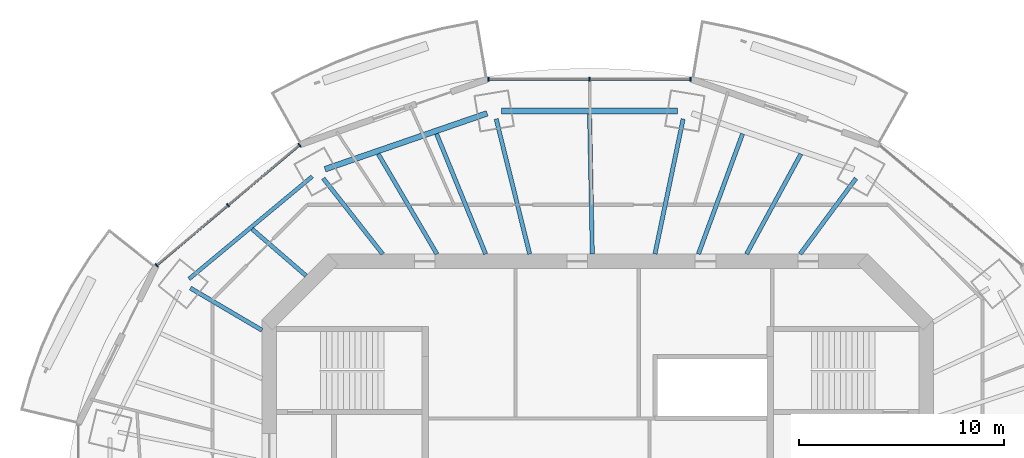
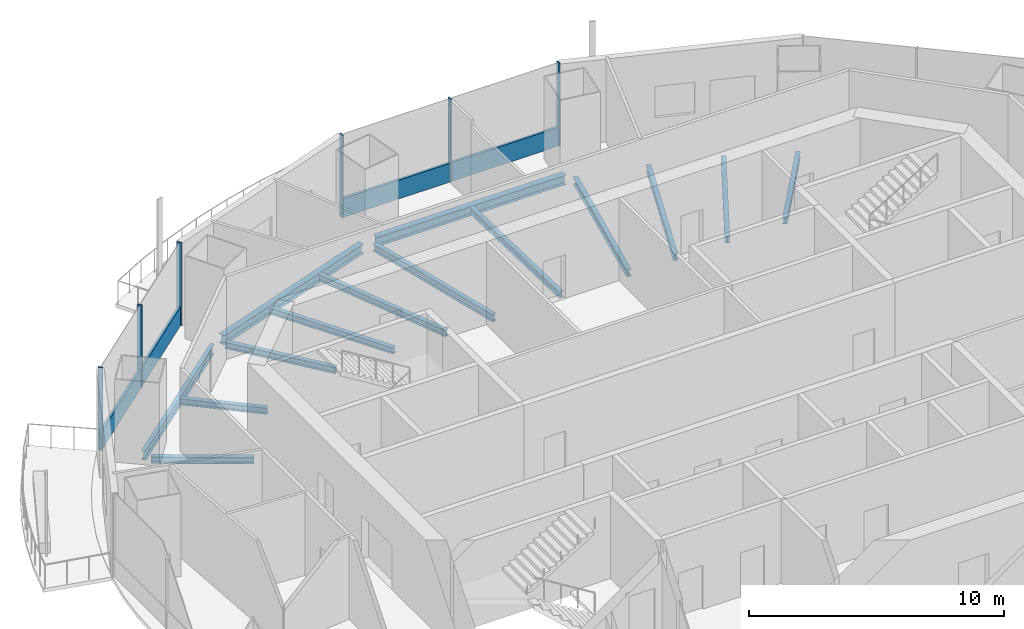
# One storey, part 5 of 15: 14 beams, 8 members, 2 elements without a shape of their own.
"""IFC4 building model written with IfcOpenShell, lengths in metres."""

from ifc_helpers import new_model, si_unit, direction, frame, origin, origin_2d, place, context, subcontext, project, spatial, rectangle, i_section, extrude, material, material_profile, profile_set, type_object, element, aggregate, save


model = new_model("IFC4")

# Units and contexts
model_context = context("Model", 3, precision=1e-05, world=origin(), true_north=direction((0.0, 1.0)))
body_context = subcontext(model_context, "Body", "Model", "MODEL_VIEW")
ifc_project = project(units=[si_unit("LENGTHUNIT", "METRE"), si_unit("AREAUNIT", "SQUARE_METRE"), si_unit("VOLUMEUNIT", "CUBIC_METRE"), si_unit("PLANEANGLEUNIT", "RADIAN"), si_unit("MASSUNIT", "GRAM", prefix="KILO")], contexts=[model_context])

# Site, building, storey
site_placement = place(None, origin())
site = spatial("IfcSite", under=ifc_project, at=site_placement, CompositionType="ELEMENT")
building_placement = place(site_placement, origin())
building = spatial("IfcBuilding", under=site, at=building_placement, Name="Marenthal Gate Tower", CompositionType="ELEMENT")
storey_placement = place(building_placement, frame((0.0, 0.0, 388.25)))
storey = spatial("IfcBuildingStorey", under=building, at=storey_placement, Name="L88", CompositionType="ELEMENT", Elevation=388.25)

# Curtain wall, members
ifc_material_1 = material(Name="Aluminium and glass", Category="aluminium")
curtain_wall_type = type_object("IfcCurtainWallType", Name="Curtain wall typical high", PredefinedType="NOTDEFINED", material=ifc_material_1)
curtain_wall_1_placement = place(storey_placement, origin())
curtain_wall_1 = element("IfcCurtainWall", 1, at=curtain_wall_1_placement, inside=storey, type_object=curtain_wall_type, Name="Curtain wall L88 bay 4", PredefinedType="NOTDEFINED")
ifc_material_2 = material(Name="Aluminium", Category="aluminium")
ifc_material_profile_1 = material_profile(ifc_material_2, rectangle(XDim=0.199951171875, YDim=0.06005859375, at=origin_2d()), Name="60x200 aluminium mullion")
ifc_profile_set_1 = profile_set([ifc_material_profile_1], Name="Aluminium")
member_type_1 = type_object("IfcMemberType", Name="Mullion 60x200 typical high", PredefinedType="MULLION", material=ifc_profile_set_1)
member_1_placement = place(storey_placement, frame((4.521484375, 21.869140625, 0.0), z_axis=(0.0, 0.0, 1.0), x_axis=(0.0, -1.0, 0.0)))
member_1 = element("IfcMember", 2, at=member_1_placement, type_object=member_type_1, Name="Mullion L88 bay 4.1", PredefinedType="MULLION", context=body_context, shape_type="SweptSolid", body=[
    extrude(rectangle(XDim=0.199951171875, YDim=0.06005859375, at=origin_2d()), origin(), (0.0, 0.0, 1.0), 3.969970703125),
])
member_2_placement = place(storey_placement, frame((-0.39990234375, 21.869140625, 0.0), z_axis=(0.0, 0.0, 1.0), x_axis=(0.0, -1.0, 0.0)))
member_2 = element("IfcMember", 3, at=member_2_placement, type_object=member_type_1, Name="Mullion L88 bay 4.2", PredefinedType="MULLION", context=body_context, shape_type="SweptSolid", body=[
    extrude(rectangle(XDim=0.199951171875, YDim=0.06005859375, at=origin_2d()), origin(), (0.0, 0.0, 1.0), 3.969970703125),
])
member_3_placement = place(storey_placement, frame((-5.3212890625, 21.869140625, 0.0), z_axis=(0.0, 0.0, 1.0), x_axis=(0.0, -1.0, 0.0)))
member_3 = element("IfcMember", 4, at=member_3_placement, type_object=member_type_1, Name="Mullion L88 bay 4.3", PredefinedType="MULLION", context=body_context, shape_type="SweptSolid", body=[
    extrude(rectangle(XDim=0.199951171875, YDim=0.06005859375, at=origin_2d()), origin(), (0.0, 0.0, 1.0), 3.969970703125),
])

curtain_wall_2_placement = place(storey_placement, origin())
curtain_wall_2 = element("IfcCurtainWall", 5, at=curtain_wall_2_placement, inside=storey, type_object=curtain_wall_type, Name="Curtain wall L88 bay 6", PredefinedType="NOTDEFINED")
member_4_placement = place(storey_placement, frame((-14.5234375, 18.657470703125, 0.0), z_axis=(0.0, 0.0, 1.0), x_axis=(0.644265226944, -0.764802142616, 0.0)))
member_4 = element("IfcMember", 6, at=member_4_placement, type_object=member_type_1, Name="Mullion L88 bay 6.1", PredefinedType="MULLION", context=body_context, shape_type="SweptSolid", body=[
    extrude(rectangle(XDim=0.199951171875, YDim=0.06005859375, at=origin_2d()), origin(), (0.0, 0.0, 1.0), 3.969970703125),
])
member_5_placement = place(storey_placement, frame((-18.001708984375, 15.7275390625, 0.0), z_axis=(0.0, 0.0, 1.0), x_axis=(0.644265226944, -0.764802142616, 0.0)))
member_5 = element("IfcMember", 7, at=member_5_placement, type_object=member_type_1, Name="Mullion L88 bay 6.2", PredefinedType="MULLION", context=body_context, shape_type="SweptSolid", body=[
    extrude(rectangle(XDim=0.199951171875, YDim=0.06005859375, at=origin_2d()), origin(), (0.0, 0.0, 1.0), 3.969970703125),
])
member_6_placement = place(storey_placement, frame((-21.479736328125, 12.79736328125, 0.0), z_axis=(0.0, 0.0, 1.0), x_axis=(0.644265226944, -0.764802142616, 0.0)))
member_6 = element("IfcMember", 8, at=member_6_placement, type_object=member_type_1, Name="Mullion L88 bay 6.3", PredefinedType="MULLION", context=body_context, shape_type="SweptSolid", body=[
    extrude(rectangle(XDim=0.199951171875, YDim=0.06005859375, at=origin_2d()), origin(), (0.0, 0.0, 1.0), 3.969970703125),
])

# Member
ifc_material_3 = material(Name="Aluminium", Category="aluminium")
ifc_material_profile_2 = material_profile(ifc_material_3, rectangle(XDim=0.1201171875, YDim=0.89990234375, at=origin_2d()), Name="120x900 aluminium transom")
ifc_profile_set_2 = profile_set([ifc_material_profile_2], Name="Aluminium")
member_type_2 = type_object("IfcMemberType", Name="Transom 120x900 typical high", PredefinedType="USERDEFINED", material=ifc_profile_set_2)
member_7_placement = place(storey_placement, frame((4.491455078125, 21.869140625, 0.449951171875), z_axis=(-1.0, 0.0, 0.0), x_axis=(0.0, -1.0, 0.0)))
member_7 = element("IfcMember", 9, at=member_7_placement, type_object=member_type_2, Name="Transom L88 bay 4", ObjectType="TRANSOM", PredefinedType="USERDEFINED", context=body_context, shape_type="SweptSolid", body=[
    extrude(rectangle(XDim=0.1201171875, YDim=0.89990234375, at=origin_2d()), origin(), (0.0, 0.0, 1.0), 9.782958984375),
])

aggregate(curtain_wall_1, [member_1, member_2, member_3, member_7])

member_8_placement = place(storey_placement, frame((-14.54638671875, 18.63818359375, 0.449951171875), z_axis=(-0.764788567143, -0.644281341937, 0.0), x_axis=(0.644281341937, -0.764788567143, 0.0)))
member_8 = element("IfcMember", 10, at=member_8_placement, type_object=member_type_2, Name="Transom L88 bay 6", ObjectType="TRANSOM", PredefinedType="USERDEFINED", context=body_context, shape_type="SweptSolid", body=[
    extrude(rectangle(XDim=0.1201171875, YDim=0.89990234375, at=origin_2d()), origin(), (0.0, 0.0, 1.0), 9.03564453125),
])

aggregate(curtain_wall_2, [member_4, member_5, member_6, member_8])

# Beams
ifc_material_4 = material(Name="Steel S355", Category="steel")
ifc_material_profile_3 = material_profile(ifc_material_4, i_section(OverallWidth=0.202880859375, OverallDepth=0.302001953125, WebThickness=0.007568359375, FlangeThickness=0.01318359375, FilletRadius=0.0126953125, at=origin_2d()), Name="W310X60")
ifc_profile_set_3 = profile_set([ifc_material_profile_3], Name="Steel S355")
beam_type_1 = type_object("IfcBeamType", Name="W310X60 beam", PredefinedType="BEAM", material=ifc_profile_set_3)
beam_1_placement = place(storey_placement, frame((9.895263671875, 18.22412109375, -0.3310546875), z_axis=(-0.477173461033, -0.878809130634, 0.0), x_axis=(0.878809130634, -0.477173461033, 0.0)))
element("IfcBeam", 11, at=beam_1_placement, inside=storey, type_object=beam_type_1, Name="BM-L88-19", PredefinedType="BEAM", context=body_context, shape_type="SweptSolid", body=[
    extrude(i_section(OverallWidth=0.202880859375, OverallDepth=0.302001953125, WebThickness=0.007568359375, FlangeThickness=0.01318359375, FilletRadius=0.0126953125, at=origin_2d()), origin(), (0.0, 0.0, 1.0), 5.546142578125),
])
beam_2_placement = place(storey_placement, frame((-10.690673828125, 18.225830078125, -0.3310546875), z_axis=(0.505940063359, -0.862568636277, 0.0), x_axis=(0.862568636277, 0.505940063359, 0.0)))
element("IfcBeam", 12, at=beam_2_placement, inside=storey, type_object=beam_type_1, Name="BM-L88-23", PredefinedType="BEAM", context=body_context, shape_type="SweptSolid", body=[
    extrude(i_section(OverallWidth=0.202880859375, OverallDepth=0.302001953125, WebThickness=0.007568359375, FlangeThickness=0.01318359375, FilletRadius=0.0126953125, at=origin_2d()), origin(), (0.0, 0.0, 1.0), 5.652587890625),
])
beam_3_placement = place(storey_placement, frame((-16.83251953125, 14.568359375, -0.3310546875), z_axis=(0.756131276019, -0.654419967167, 0.0), x_axis=(0.654419967167, 0.756131276019, 0.0)))
element("IfcBeam", 13, at=beam_3_placement, inside=storey, type_object=beam_type_1, Name="BM-L88-24", PredefinedType="BEAM", context=body_context, shape_type="SweptSolid", body=[
    extrude(i_section(OverallWidth=0.202880859375, OverallDepth=0.302001953125, WebThickness=0.007568359375, FlangeThickness=0.01318359375, FilletRadius=0.0126953125, at=origin_2d()), origin(), (0.0, 0.0, 1.0), 3.47802734375),
])
ifc_material_5 = material(Name="Steel S355", Category="steel")
ifc_material_profile_4 = material_profile(ifc_material_5, i_section(OverallWidth=0.205078125, OverallDepth=0.31005859375, WebThickness=0.009521484375, FlangeThickness=0.016357421875, FilletRadius=0.0126953125, at=origin_2d()), Name="W310X74")
ifc_profile_set_4 = profile_set([ifc_material_profile_4], Name="Steel S355")
beam_type_2 = type_object("IfcBeamType", Name="W310X74 beam", PredefinedType="BEAM", material=ifc_profile_set_4)
beam_4_placement = place(storey_placement, frame((12.58056640625, 17.035400390625, -0.3349609375), z_axis=(-0.594074859314, -0.804409759719, 0.0), x_axis=(0.804409759719, -0.594074859314, 0.0)))
element("IfcBeam", 14, at=beam_4_placement, inside=storey, type_object=beam_type_2, Name="BM-L88-03", PredefinedType="BEAM", context=body_context, shape_type="SweptSolid", body=[
    extrude(i_section(OverallWidth=0.205078125, OverallDepth=0.31005859375, WebThickness=0.009521484375, FlangeThickness=0.016357421875, FilletRadius=0.0126953125, at=origin_2d()), origin(), (0.0, 0.0, 1.0), 4.581298828125),
])
beam_5_placement = place(storey_placement, frame((-13.36865234375, 17.03955078125, -0.3349609375), z_axis=(0.617251167198, -0.786766163858, 0.0), x_axis=(0.786766163858, 0.617251167198, 0.0)))
element("IfcBeam", 15, at=beam_5_placement, inside=storey, type_object=beam_type_2, Name="BM-L88-06", PredefinedType="BEAM", context=body_context, shape_type="SweptSolid", body=[
    extrude(i_section(OverallWidth=0.205078125, OverallDepth=0.31005859375, WebThickness=0.009521484375, FlangeThickness=0.016357421875, FilletRadius=0.0126953125, at=origin_2d()), origin(), (0.0, 0.0, 1.0), 4.689453125),
])
beam_6_placement = place(storey_placement, frame((-19.836181640625, 11.6923828125, -0.3349609375), z_axis=(0.861470125901, -0.507808253359, 0.0), x_axis=(0.507808253359, 0.861470125901, 0.0)))
element("IfcBeam", 16, at=beam_6_placement, inside=storey, type_object=beam_type_2, Name="BM-L88-07", PredefinedType="BEAM", context=body_context, shape_type="SweptSolid", body=[
    extrude(i_section(OverallWidth=0.205078125, OverallDepth=0.31005859375, WebThickness=0.009521484375, FlangeThickness=0.016357421875, FilletRadius=0.0126953125, at=origin_2d()), origin(), (0.0, 0.0, 1.0), 4.046630859375),
])
beam_7_placement = place(storey_placement, frame((7.0546875, 19.202880859375, -0.3349609375), z_axis=(-0.344837880661, -0.938662258782, 0.0), x_axis=(0.938662258782, -0.344837880661, 0.0)))
element("IfcBeam", 17, at=beam_7_placement, inside=storey, type_object=beam_type_2, Name="BM-L88-20", PredefinedType="BEAM", context=body_context, shape_type="SweptSolid", body=[
    extrude(i_section(OverallWidth=0.205078125, OverallDepth=0.31005859375, WebThickness=0.009521484375, FlangeThickness=0.016357421875, FilletRadius=0.0126953125, at=origin_2d()), origin(), (0.0, 0.0, 1.0), 6.2353515625),
])
beam_8_placement = place(storey_placement, frame((-0.397216796875, 20.179931640625, -0.3349609375), z_axis=(0.019692337945, -0.999806087112, 0.0), x_axis=(0.999806087112, 0.019692337945, 0.0)))
element("IfcBeam", 18, at=beam_8_placement, inside=storey, type_object=beam_type_2, Name="BM-L88-21", PredefinedType="BEAM", context=body_context, shape_type="SweptSolid", body=[
    extrude(i_section(OverallWidth=0.205078125, OverallDepth=0.31005859375, WebThickness=0.009521484375, FlangeThickness=0.016357421875, FilletRadius=0.0126953125, at=origin_2d()), origin(), (0.0, 0.0, 1.0), 6.8310546875),
])
beam_9_placement = place(storey_placement, frame((-7.85009765625, 19.20458984375, -0.3349609375), z_axis=(0.378401367112, -0.925641618213, 0.0), x_axis=(0.925641618213, 0.378401367112, 0.0)))
element("IfcBeam", 19, at=beam_9_placement, inside=storey, type_object=beam_type_2, Name="BM-L88-22", PredefinedType="BEAM", context=body_context, shape_type="SweptSolid", body=[
    extrude(i_section(OverallWidth=0.205078125, OverallDepth=0.31005859375, WebThickness=0.009521484375, FlangeThickness=0.016357421875, FilletRadius=0.0126953125, at=origin_2d()), origin(), (0.0, 0.0, 1.0), 6.32470703125),
])
ifc_material_6 = material(Name="Steel S355", Category="steel")
ifc_material_profile_5 = material_profile(ifc_material_6, i_section(OverallWidth=0.205078125, OverallDepth=0.35302734375, WebThickness=0.009521484375, FlangeThickness=0.016845703125, FilletRadius=0.014892578125, at=origin_2d()), Name="W360X79")
ifc_profile_set_5 = profile_set([ifc_material_profile_5], Name="Steel S355")
beam_type_3 = type_object("IfcBeamType", Name="W360X79 beam", PredefinedType="BEAM", material=ifc_profile_set_5)
beam_10_placement = place(storey_placement, frame((4.1611328125, 19.927001953125, -0.3564453125), z_axis=(-0.204431628337, -0.978880845321, 0.0), x_axis=(0.978880845321, -0.204431628337, 0.0)))
element("IfcBeam", 20, at=beam_10_placement, inside=storey, type_object=beam_type_3, Name="BM-L88-04", PredefinedType="BEAM", context=body_context, shape_type="SweptSolid", body=[
    extrude(i_section(OverallWidth=0.205078125, OverallDepth=0.35302734375, WebThickness=0.009521484375, FlangeThickness=0.016845703125, FilletRadius=0.014892578125, at=origin_2d()), origin(), (0.0, 0.0, 1.0), 6.71875),
])
beam_11_placement = place(storey_placement, frame((-4.946044921875, 19.928466796875, -0.3564453125), z_axis=(0.240899563447, -0.9705500504, 0.0), x_axis=(0.9705500504, 0.240899563447, 0.0)))
element("IfcBeam", 21, at=beam_11_placement, inside=storey, type_object=beam_type_3, Name="BM-L88-05", PredefinedType="BEAM", context=body_context, shape_type="SweptSolid", body=[
    extrude(i_section(OverallWidth=0.205078125, OverallDepth=0.35302734375, WebThickness=0.009521484375, FlangeThickness=0.016845703125, FilletRadius=0.014892578125, at=origin_2d()), origin(), (0.0, 0.0, 1.0), 6.778076171875),
])
ifc_material_7 = material(Name="Steel S355", Category="steel")
ifc_material_profile_6 = material_profile(ifc_material_7, i_section(OverallWidth=0.279052734375, OverallDepth=0.4619140625, WebThickness=0.0107421875, FlangeThickness=0.017333984375, FilletRadius=0.010009765625, at=origin_2d()), Name="W460X113")
ifc_profile_set_6 = profile_set([ifc_material_profile_6], Name="Steel S355")
beam_type_4 = type_object("IfcBeamType", Name="W460X113 beam", PredefinedType="BEAM", material=ifc_profile_set_6)
beam_12_placement = place(storey_placement, frame((3.881591796875, 20.319580078125, -0.410888671875), z_axis=(-1.0, 0.0, 0.0), x_axis=(0.0, -1.0, 0.0)))
element("IfcBeam", 22, at=beam_12_placement, inside=storey, type_object=beam_type_4, Name="BM-L88-41", PredefinedType="BEAM", context=body_context, shape_type="SweptSolid", body=[
    extrude(i_section(OverallWidth=0.279052734375, OverallDepth=0.4619140625, WebThickness=0.0107421875, FlangeThickness=0.017333984375, FilletRadius=0.010009765625, at=origin_2d()), origin(), (0.0, 0.0, 1.0), 8.56298828125),
])
beam_13_placement = place(storey_placement, frame((-5.385498046875, 20.201416015625, -0.410888671875), z_axis=(-0.945444742422, -0.325782502639, 0.0), x_axis=(0.325782502639, -0.945444742422, 0.0)))
element("IfcBeam", 23, at=beam_13_placement, inside=storey, type_object=beam_type_4, Name="BM-L88-42", PredefinedType="BEAM", context=body_context, shape_type="SweptSolid", body=[
    extrude(i_section(OverallWidth=0.279052734375, OverallDepth=0.4619140625, WebThickness=0.0107421875, FlangeThickness=0.017333984375, FilletRadius=0.010009765625, at=origin_2d()), origin(), (0.0, 0.0, 1.0), 8.34912109375),
])
ifc_material_8 = material(Name="Steel S355", Category="steel")
ifc_material_profile_7 = material_profile(ifc_material_8, i_section(OverallWidth=0.19091796875, OverallDepth=0.45703125, WebThickness=0.009033203125, FlangeThickness=0.014404296875, FilletRadius=0.01025390625, at=origin_2d()), Name="W460X74")
ifc_profile_set_7 = profile_set([ifc_material_profile_7], Name="Steel S355")
beam_type_5 = type_object("IfcBeamType", Name="W460X74 beam", PredefinedType="BEAM", material=ifc_profile_set_7)
beam_14_placement = place(storey_placement, frame((-13.9033203125, 17.129638671875, -0.408447265625), z_axis=(-0.76874123216, -0.63955994088, 0.0), x_axis=(0.63955994088, -0.76874123216, 0.0)))
element("IfcBeam", 24, at=beam_14_placement, inside=storey, type_object=beam_type_5, Name="BM-L88-43", PredefinedType="BEAM", context=body_context, shape_type="SweptSolid", body=[
    extrude(i_section(OverallWidth=0.19091796875, OverallDepth=0.45703125, WebThickness=0.009033203125, FlangeThickness=0.014404296875, FilletRadius=0.01025390625, at=origin_2d()), origin(), (0.0, 0.0, 1.0), 7.80908203125),
])

save(model, "model.ifc")
